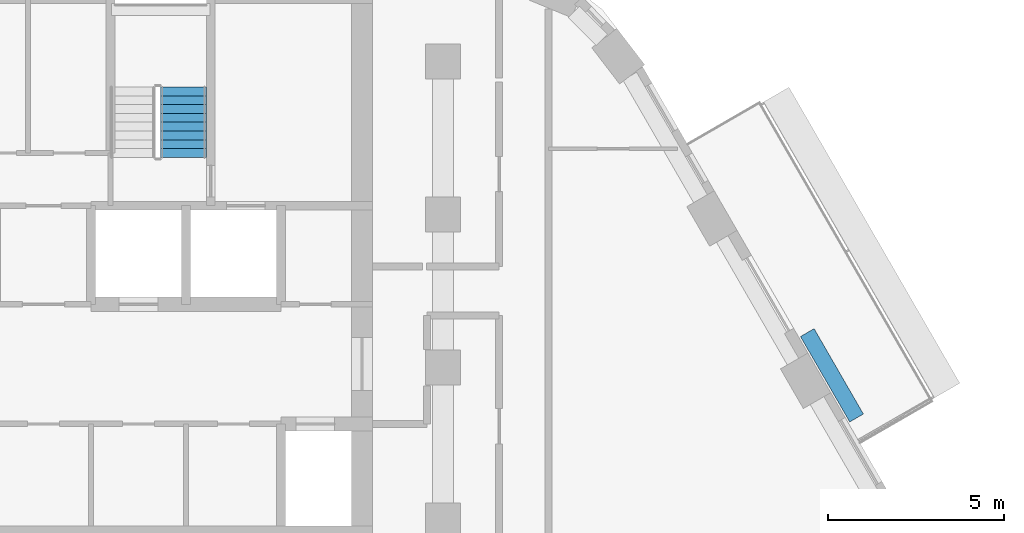
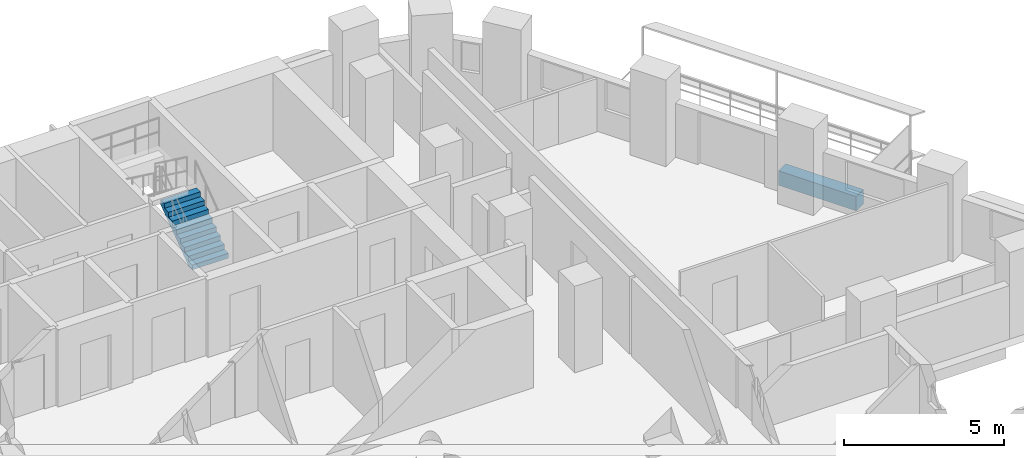
# One storey, part 10 of 14: 1 discrete accessory, 1 stair flight, 1 element without a shape of its own.
"""IFC4 building model written with IfcOpenShell, lengths in metres."""

from ifc_helpers import new_model, si_unit, direction, frame, origin, origin_2d, place, context, subcontext, project, spatial, polyline, rectangle, outline, extrude, material, type_object, element, aggregate, save


model = new_model("IFC4")

# Units and contexts
model_context = context("Model", 3, precision=1e-05, world=origin(), true_north=direction((0.0, 1.0)))
body_context = subcontext(model_context, "Body", "Model", "MODEL_VIEW")
ifc_project = project(units=[si_unit("LENGTHUNIT", "METRE"), si_unit("AREAUNIT", "SQUARE_METRE"), si_unit("VOLUMEUNIT", "CUBIC_METRE"), si_unit("PLANEANGLEUNIT", "RADIAN"), si_unit("MASSUNIT", "GRAM", prefix="KILO")], contexts=[model_context])

# Site, building, storey
site_placement = place(None, origin())
site = spatial("IfcSite", under=ifc_project, at=site_placement, CompositionType="ELEMENT")
building_placement = place(site_placement, origin())
building = spatial("IfcBuilding", under=site, at=building_placement, Name="Nakaniwa Court", CompositionType="ELEMENT")
storey_placement = place(building_placement, frame((0.0, 0.0, 166.800048828125)))
storey = spatial("IfcBuildingStorey", under=building, at=storey_placement, Name="L44", CompositionType="ELEMENT", Elevation=166.800048828125)

# Stair, stair flight
ifc_material_1 = material(Name="Concrete C80/100", Category="concrete")
stair_type = type_object("IfcStairType", Name="Dog leg stair 1300 wide 18 risers", PredefinedType="HALF_TURN_STAIR", material=ifc_material_1)
stair_placement = place(storey_placement, origin())
stair = element("IfcStair", 1, at=stair_placement, inside=storey, type_object=stair_type, Name="L44 Stair ST2", PredefinedType="HALF_TURN_STAIR")
stair_flight_type = type_object("IfcStairFlightType", Name="Stair flight 1300 wide 9 risers", PredefinedType="STRAIGHT", material=ifc_material_1)
stair_flight_placement = place(storey_placement, frame((82.625, 98.27490234375, 0.0), z_axis=(0.0, 0.0, 1.0), x_axis=(0.0, 1.0, 0.0)))
stair_flight = element("IfcStairFlight", 2, at=stair_flight_placement, type_object=stair_flight_type, Name="ST2 flight 1", NumberOfRisers=9, NumberOfTreads=8, PredefinedType="STRAIGHT", RiserHeight=0.183333333, TreadLength=0.25, context=body_context, shape_type="SweptSolid", body=[
    extrude(outline(polyline([(0.0, 0.0), (0.0, 0.026123046875), (0.0, 0.052490234375), (0.0, 0.07861328125), (0.0, 0.104736328125), (0.0, 0.130859375), (0.0, 0.1572265625), (0.0, 0.183349609375), (0.25, 0.183349609375), (0.25, 0.36669921875), (0.5, 0.36669921875), (0.5, 0.550048828125), (0.75, 0.550048828125), (0.75, 0.7333984375), (1.0, 0.7333984375), (1.0, 0.916748046875), (1.25, 0.916748046875), (1.25, 1.10009765625), (1.5, 1.10009765625), (1.5, 1.283447265625), (1.75, 1.283447265625), (1.75, 1.466552734375), (2.0, 1.466552734375), (2.0, 1.64990234375), (2.0, 1.59716796875), (2.0, 1.54443359375), (2.0, 1.49169921875), (2.0, 1.43896484375), (2.0, 1.38623046875), (2.0, 1.33349609375), (2.0, 1.28076171875), (0.25341796875, 0.0), (0.0, 0.0)])), frame((0.0, 0.64990234375, 0.0), z_axis=(0.0, -1.0, 0.0), x_axis=(1.0, 0.0, 0.0)), (0.0, 0.0, 1.0), 1.300048828125),
])
aggregate(stair, [stair_flight])

# Discrete accessory
ifc_material_2 = material(Name="Precast concrete C40/50 planter with planted soil", Category="concrete")
discrete_accessory_type = type_object("IfcDiscreteAccessoryType", Name="Planter box charcoal concrete", PredefinedType="USERDEFINED", material=ifc_material_2)
discrete_accessory_placement = place(storey_placement, frame((101.0556640625, 92.080810546875, -0.05029296875), z_axis=(0.0, 0.0, 1.0), x_axis=(-0.500004534492, 0.866022785779, 0.0)))
element("IfcDiscreteAccessory", 3, at=discrete_accessory_placement, inside=storey, type_object=discrete_accessory_type, Name="L44 balcony PLANTER 01", ObjectType="PLANTER", PredefinedType="USERDEFINED", context=body_context, shape_type="SweptSolid", body=[
    extrude(rectangle(XDim=2.802978515625, YDim=0.449951171875, at=origin_2d()), origin(), (0.0, 0.0, 1.0), 0.550048828125),
])

save(model, "model.ifc")
